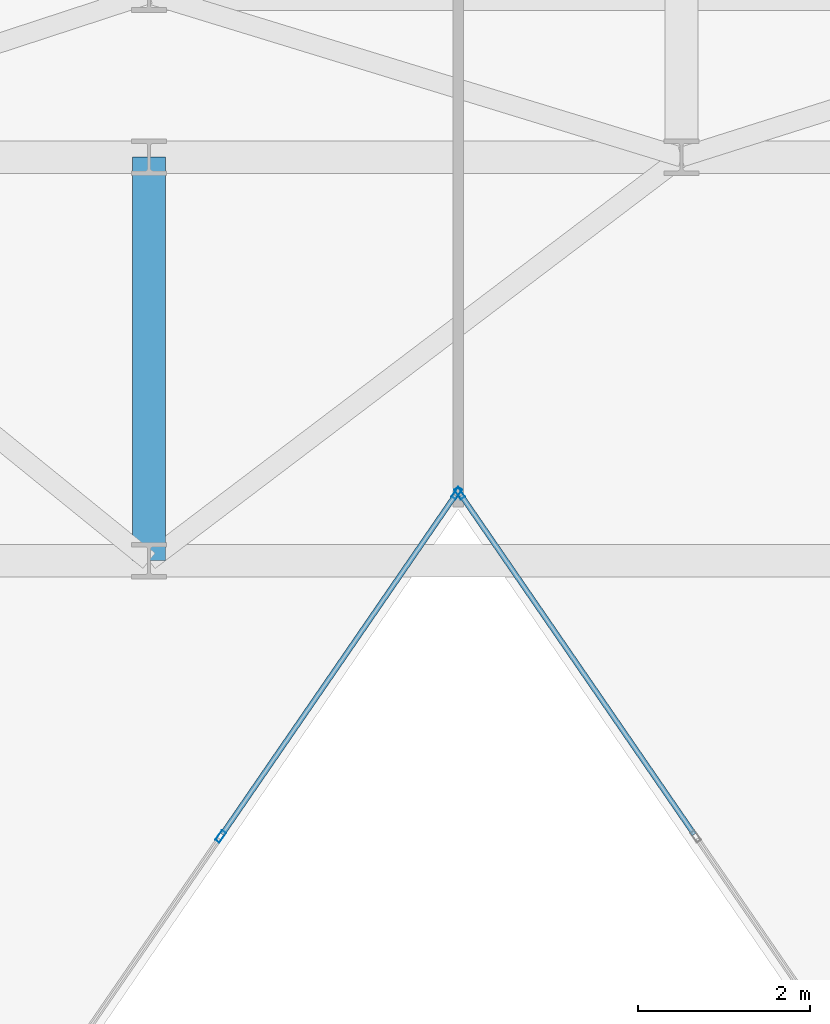
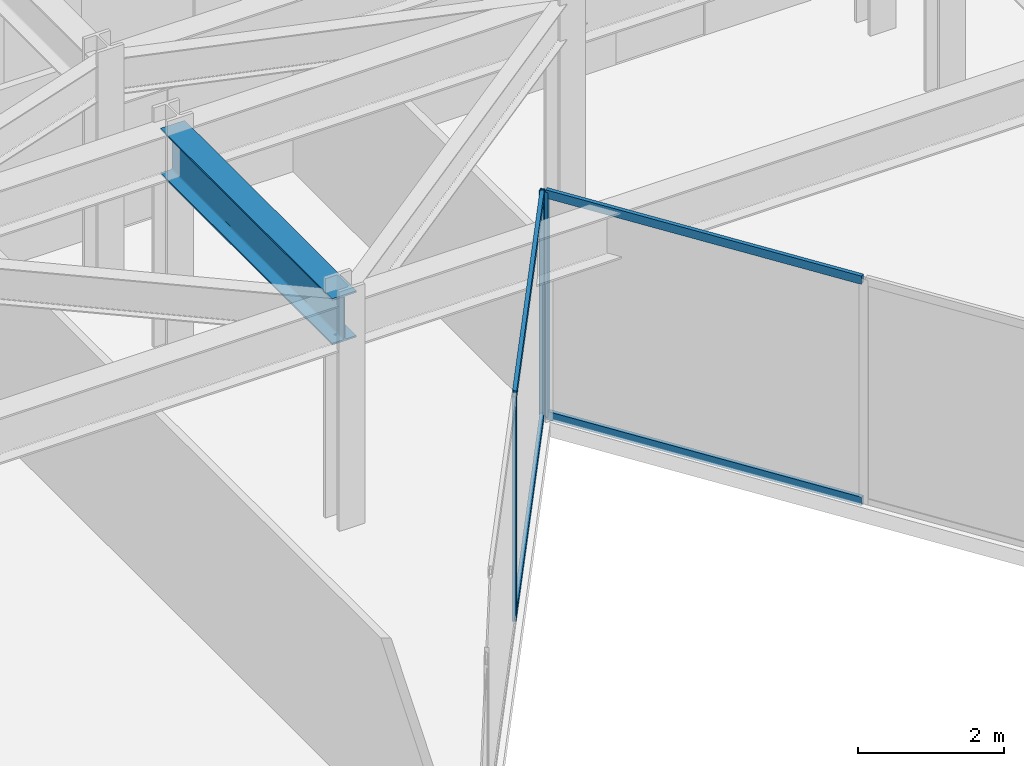
# One storey, part 6 of 21: 7 members, 1 beam, 2 elements without a shape of their own.
"""IFC4 building model written with IfcOpenShell, lengths in metres."""

from ifc_helpers import new_model, si_unit, direction, frame, origin, origin_2d, place, context, subcontext, project, spatial, hollow_rectangle, i_section, extrude, material, layer, layer_set, material_profile, profile_set, type_object, element, aggregate, save


model = new_model("IFC4")

# Units and contexts
model_context = context("Model", 3, precision=1e-05, world=origin(), true_north=direction((0.0, 1.0)))
body_context = subcontext(model_context, "Body", "Model", "MODEL_VIEW")
ifc_project = project(units=[si_unit("LENGTHUNIT", "METRE"), si_unit("AREAUNIT", "SQUARE_METRE"), si_unit("VOLUMEUNIT", "CUBIC_METRE"), si_unit("PLANEANGLEUNIT", "RADIAN"), si_unit("MASSUNIT", "GRAM", prefix="KILO")], contexts=[model_context])

# Site, building, storey
site_placement = place(None, origin())
site = spatial("IfcSite", under=ifc_project, at=site_placement, CompositionType="ELEMENT")
building_placement = place(site_placement, origin())
building = spatial("IfcBuilding", under=site, at=building_placement, Name="Kravanh Interchange Tower", CompositionType="ELEMENT")
storey_placement = place(building_placement, frame((0.0, 0.0, 160.5)))
storey = spatial("IfcBuildingStorey", under=building, at=storey_placement, Name="L38", CompositionType="ELEMENT", Elevation=160.5)

# Curtain wall, member
ifc_material_1 = material(Name="Anodised Bronze Aluminium", Category="aluminium")
ifc_layer = layer(ifc_material_1, 0.179931640625)
ifc_layer_set = layer_set([ifc_layer], Name="Unitised Curtain Wall System CW-Z3 Upper Office")
curtain_wall_type = type_object("IfcCurtainWallType", Name="Unitised Curtain Wall System CW-Z3 Upper Office", PredefinedType="NOTDEFINED", material=ifc_layer_set)
curtain_wall_1_placement = place(storey_placement, origin())
curtain_wall_1 = element("IfcCurtainWall", 1, at=curtain_wall_1_placement, inside=storey, type_object=curtain_wall_type, Name="L38 Unitised Curtain Wall CW-L38-04", PredefinedType="NOTDEFINED")
ifc_material_2 = material(Name="Anodised Bronze Aluminium", Category="aluminium")
ifc_material_profile_1 = material_profile(ifc_material_2, hollow_rectangle(XDim=0.06005859375, YDim=0.139892578125, WallThickness=0.00390625, at=origin_2d()), Name="ALU60X140X4")
ifc_profile_set_1 = profile_set([ifc_material_profile_1], Name="Anodised Bronze Aluminium")
member_type_1 = type_object("IfcMemberType", Name="Curtain Wall Mullion ALU60X140X4 Bronze", PredefinedType="MULLION", material=ifc_profile_set_1)
member_1_placement = place(storey_placement, frame((42.217041015625, 27.587158203125, 0.0), z_axis=(0.0, 0.0, 1.0), x_axis=(-0.824042223035, -0.566528388217, 0.0)))
member_1 = element("IfcMember", 2, at=member_1_placement, type_object=member_type_1, Name="CW-Z3 mullion 5", PredefinedType="MULLION", context=body_context, shape_type="SweptSolid", body=[
    extrude(hollow_rectangle(XDim=0.06005859375, YDim=0.139892578125, WallThickness=0.00390625, at=origin_2d()), origin(), (0.0, 0.0, 1.0), 3.7548828125),
])

# Curtain wall, members
curtain_wall_2_placement = place(storey_placement, origin())
curtain_wall_2 = element("IfcCurtainWall", 3, at=curtain_wall_2_placement, inside=storey, type_object=curtain_wall_type, Name="L38 Unitised Curtain Wall CW-L38-05", PredefinedType="NOTDEFINED")
member_2_placement = place(storey_placement, frame((42.18310546875, 27.587158203125, 0.0), z_axis=(0.0, 0.0, 1.0), x_axis=(0.824042223035, -0.566528388217, 0.0)))
member_2 = element("IfcMember", 4, at=member_2_placement, type_object=member_type_1, Name="CW-Z3 mullion 1", PredefinedType="MULLION", context=body_context, shape_type="SweptSolid", body=[
    extrude(hollow_rectangle(XDim=0.06005859375, YDim=0.139892578125, WallThickness=0.00390625, at=origin_2d()), origin(), (0.0, 0.0, 1.0), 3.7548828125),
])
member_3_placement = place(storey_placement, frame((39.434326171875, 23.5888671875, 0.0), z_axis=(0.0, 0.0, 1.0), x_axis=(0.824042223035, -0.566528388217, 0.0)))
member_3 = element("IfcMember", 5, at=member_3_placement, type_object=member_type_1, Name="CW-Z3 mullion 2", PredefinedType="MULLION", context=body_context, shape_type="SweptSolid", body=[
    extrude(hollow_rectangle(XDim=0.06005859375, YDim=0.139892578125, WallThickness=0.00390625, at=origin_2d()), origin(), (0.0, 0.0, 1.0), 3.7548828125),
])

# Member
ifc_material_3 = material(Name="Anodised Bronze Aluminium", Category="aluminium")
ifc_material_profile_2 = material_profile(ifc_material_3, hollow_rectangle(XDim=0.06005859375, YDim=0.139892578125, WallThickness=0.00390625, at=origin_2d()), Name="ALU60X140X4")
ifc_profile_set_2 = profile_set([ifc_material_profile_2], Name="Anodised Bronze Aluminium")
member_type_2 = type_object("IfcMemberType", Name="Curtain Wall Transom ALU60X140X4 Bronze", PredefinedType="USERDEFINED", material=ifc_profile_set_2)
member_4_placement = place(storey_placement, frame((44.94873046875, 23.613525390625, 0.030029296875), z_axis=(-0.566541796314, 0.824033004818, 0.0), x_axis=(-0.824033004818, -0.566541796314, 0.0)))
member_4 = element("IfcMember", 6, at=member_4_placement, type_object=member_type_2, Name="CW-Z3 transom 4.1", ObjectType="TRANSOM", PredefinedType="USERDEFINED", context=body_context, shape_type="SweptSolid", body=[
    extrude(hollow_rectangle(XDim=0.06005859375, YDim=0.139892578125, WallThickness=0.00390625, at=origin_2d()), origin(), (0.0, 0.0, 1.0), 4.7919921875),
])

member_5_placement = place(storey_placement, frame((44.94873046875, 23.613525390625, 3.72509765625), z_axis=(-0.566541796314, 0.824033004818, 0.0), x_axis=(-0.824033004818, -0.566541796314, 0.0)))
member_5 = element("IfcMember", 7, at=member_5_placement, type_object=member_type_2, Name="CW-Z3 transom 4.2", ObjectType="TRANSOM", PredefinedType="USERDEFINED", context=body_context, shape_type="SweptSolid", body=[
    extrude(hollow_rectangle(XDim=0.06005859375, YDim=0.139892578125, WallThickness=0.00390625, at=origin_2d()), origin(), (0.0, 0.0, 1.0), 4.7919921875),
])

aggregate(curtain_wall_1, [member_1, member_4, member_5])

member_6_placement = place(storey_placement, frame((42.166015625, 27.562255859375, 0.030029296875), z_axis=(-0.566541796314, -0.824033004818, 0.0), x_axis=(0.824033004818, -0.566541796314, 0.0)))
member_6 = element("IfcMember", 8, at=member_6_placement, type_object=member_type_2, Name="CW-Z3 transom 1.1", ObjectType="TRANSOM", PredefinedType="USERDEFINED", context=body_context, shape_type="SweptSolid", body=[
    extrude(hollow_rectangle(XDim=0.06005859375, YDim=0.139892578125, WallThickness=0.00390625, at=origin_2d()), origin(), (0.0, 0.0, 1.0), 4.7919921875),
])

member_7_placement = place(storey_placement, frame((42.166015625, 27.562255859375, 3.72509765625), z_axis=(-0.566541796314, -0.824033004818, 0.0), x_axis=(0.824033004818, -0.566541796314, 0.0)))
member_7 = element("IfcMember", 9, at=member_7_placement, type_object=member_type_2, Name="CW-Z3 transom 1.2", ObjectType="TRANSOM", PredefinedType="USERDEFINED", context=body_context, shape_type="SweptSolid", body=[
    extrude(hollow_rectangle(XDim=0.06005859375, YDim=0.139892578125, WallThickness=0.00390625, at=origin_2d()), origin(), (0.0, 0.0, 1.0), 4.7919921875),
])

aggregate(curtain_wall_2, [member_2, member_3, member_6, member_7])

# Beam
ifc_material_4 = material(Name="Structural Steel S355", Category="steel")
ifc_material_profile_3 = material_profile(ifc_material_4, i_section(OverallWidth=0.381103515625, OverallDepth=0.77294921875, WebThickness=0.0166015625, FlangeThickness=0.027099609375, FilletRadius=0.02490234375, at=origin_2d()), Name="W30X173")
ifc_profile_set_3 = profile_set([ifc_material_profile_3], Name="Structural Steel S355")
beam_type = type_object("IfcBeamType", Name="Floor Beam W30X173 Structural Steel S355", PredefinedType="BEAM", material=ifc_profile_set_3)
beam_placement = place(storey_placement, frame((38.60009765625, 26.800048828125, 3.368408203125), z_axis=(0.0, 1.0, 0.0), x_axis=(-1.0, 0.0, 0.0)))
element("IfcBeam", 10, at=beam_placement, inside=storey, type_object=beam_type, Name="L38 Primary Floor Girder 45", PredefinedType="BEAM", context=body_context, shape_type="SweptSolid", body=[
    extrude(i_section(OverallWidth=0.381103515625, OverallDepth=0.77294921875, WebThickness=0.0166015625, FlangeThickness=0.027099609375, FilletRadius=0.02490234375, at=origin_2d()), origin(), (0.0, 0.0, 1.0), 4.699951171875),
])

save(model, "model.ifc")
